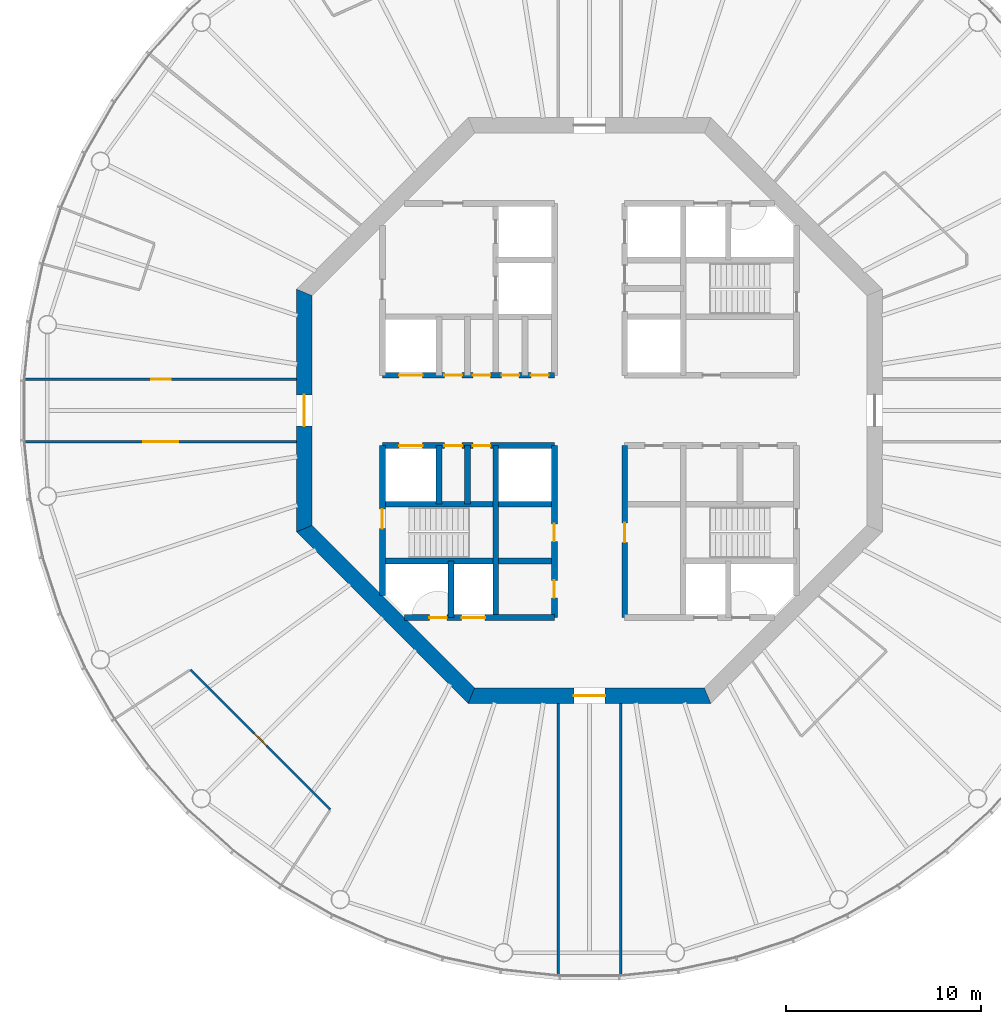
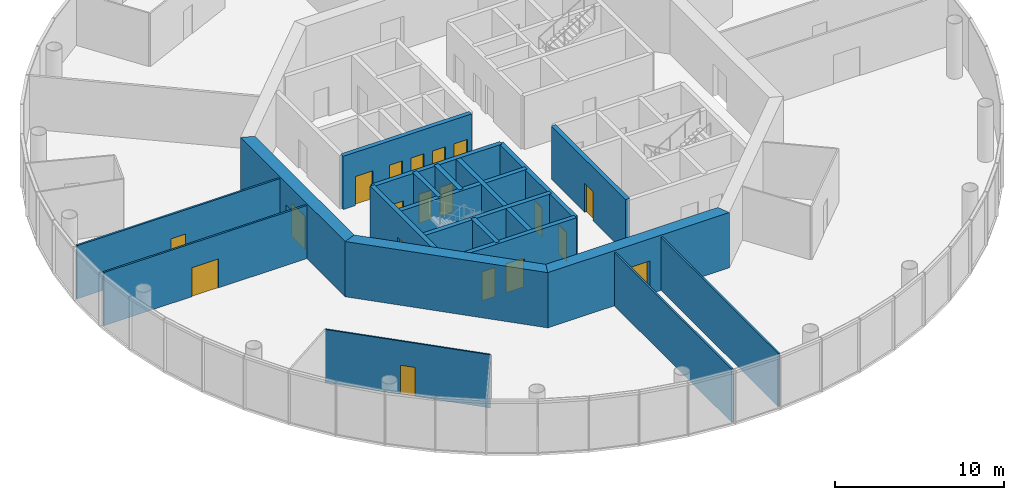
# One storey, part 3 of 13: 20 walls, 19 doors, 19 openings.
"""IFC4 building model written with IfcOpenShell, lengths in metres."""

from ifc_helpers import new_model, si_unit, direction, frame, frame_2d, origin, place, context, subcontext, project, spatial, polyline, rectangle, outline, extrude, material, layer, layer_set, type_object, element, fill, save


model = new_model("IFC4")

# Units and contexts
model_context = context("Model", 3, precision=1e-05, world=origin(), true_north=direction((0.0, 1.0)))
body_context = subcontext(model_context, "Body", "Model", "MODEL_VIEW")
ifc_project = project(units=[si_unit("LENGTHUNIT", "METRE"), si_unit("AREAUNIT", "SQUARE_METRE"), si_unit("VOLUMEUNIT", "CUBIC_METRE"), si_unit("PLANEANGLEUNIT", "RADIAN"), si_unit("MASSUNIT", "GRAM", prefix="KILO")], contexts=[model_context])

# Site, building, storey
site_placement = place(None, origin())
site = spatial("IfcSite", under=ifc_project, at=site_placement, CompositionType="ELEMENT")
building_placement = place(site_placement, origin())
building = spatial("IfcBuilding", under=site, at=building_placement, Name="Entoto Ring Tower", CompositionType="ELEMENT")
storey_placement = place(building_placement, frame((0.0, 0.0, 278.0)))
storey = spatial("IfcBuildingStorey", under=building, at=storey_placement, Name="L63", CompositionType="ELEMENT", Elevation=278.0)

# Wall, opening, door
ifc_material_1 = material(Name="Concrete C40/50", Category="concrete")
ifc_layer_1 = layer(ifc_material_1, 0.300048828125)
ifc_layer_set_1 = layer_set([ifc_layer_1], Name="Concrete C40/50")
wall_type_1 = type_object("IfcWallType", Name="Core enclosure wall 300 mm reinforced concrete", PredefinedType="SOLIDWALL", material=ifc_layer_set_1)
wall_1_placement = place(storey_placement, frame((91.800048828125, 69.39990234375, 0.0), z_axis=(0.0, 0.0, 1.0), x_axis=(0.0, 1.0, 0.0)))
wall_1 = element("IfcWall", 1, at=wall_1_placement, inside=storey, type_object=wall_type_1, Name="wall-L63-008", PredefinedType="SOLIDWALL", context=body_context, shape_type="SweptSolid", body=[
    extrude(rectangle(XDim=8.800048828125, YDim=0.300048828125, at=frame_2d((4.39990234375, 0.0))), origin(), (0.0, 0.0, 1.0), 3.85009765625),
])
opening_1_placement = place(wall_1_placement, frame((3.85009765625, 0.0, 0.0)))
opening_1 = element("IfcOpeningElement", 2, at=opening_1_placement, cuts=wall_1, Name="Opening K-64", PredefinedType="OPENING", context=body_context, shape_type="SweptSolid", body=[
    extrude(rectangle(XDim=1.0, YDim=2.10009765625, at=frame_2d((0.5, 1.050048828125))), frame((0.0, 0.16015625, 0.0), z_axis=(0.0, -1.0, 0.0), x_axis=(1.0, 0.0, 0.0)), (0.0, 0.0, 1.0), 0.320068359375),
])
ifc_material_2 = material(Name="Steel door leaf, fire rated", Category="steel")
ifc_layer_2 = layer(ifc_material_2, 0.050048828125)
ifc_layer_set_2 = layer_set([ifc_layer_2], Name="Steel door leaf, fire rated")
door_type_1 = type_object("IfcDoorType", Name="Accessible door 1000 x 2100 single leaf", OperationType="NOTDEFINED", PredefinedType="DOOR", material=ifc_layer_set_2)
door_1_placement = place(opening_1_placement, frame((1.0, 0.0, 0.0), z_axis=(0.0, 0.0, 1.0), x_axis=(-1.0, 0.0, 0.0)))
door_1 = element("IfcDoor", 3, at=door_1_placement, inside=storey, type_object=door_type_1, Name="Door K-64", OperationType="SINGLE_SWING_LEFT", OverallHeight=2.10009765625, OverallWidth=1.0, PredefinedType="DOOR", context=body_context, shape_type="SweptSolid", body=[
    extrude(rectangle(XDim=1.0, YDim=2.10009765625, at=frame_2d((0.5, 1.050048828125))), frame((0.0, 0.02490234375, 0.0), z_axis=(0.0, -1.0, 0.0), x_axis=(1.0, 0.0, 0.0)), (0.0, 0.0, 1.0), 0.050048828125),
])
fill(opening_1, door_1)

# Wall, openings, doors
wall_2_placement = place(storey_placement, frame((88.199951171875, 69.39990234375, 0.0), z_axis=(0.0, 0.0, 1.0), x_axis=(0.0, 1.0, 0.0)))
wall_2 = element("IfcWall", 4, at=wall_2_placement, inside=storey, type_object=wall_type_1, Name="wall-L63-010", PredefinedType="SOLIDWALL", context=body_context, shape_type="SweptSolid", body=[
    extrude(rectangle(XDim=8.800048828125, YDim=0.300048828125, at=frame_2d((4.39990234375, 0.0))), origin(), (0.0, 0.0, 1.0), 3.85009765625),
])
opening_2_placement = place(wall_2_placement, frame((3.89990234375, 0.0, 0.0)))
opening_2 = element("IfcOpeningElement", 5, at=opening_2_placement, cuts=wall_2, Name="Opening K-21", PredefinedType="OPENING", context=body_context, shape_type="SweptSolid", body=[
    extrude(rectangle(XDim=0.89990234375, YDim=2.10009765625, at=frame_2d((0.449951171875, 1.050048828125))), frame((0.0, 0.16015625, 0.0), z_axis=(0.0, -1.0, 0.0), x_axis=(1.0, 0.0, 0.0)), (0.0, 0.0, 1.0), 0.320068359375),
])
opening_3_placement = place(wall_2_placement, frame((1.0, 0.0, 0.0)))
opening_3 = element("IfcOpeningElement", 6, at=opening_3_placement, cuts=wall_2, Name="Opening K-69", PredefinedType="OPENING", context=body_context, shape_type="SweptSolid", body=[
    extrude(rectangle(XDim=0.89990234375, YDim=2.10009765625, at=frame_2d((0.449951171875, 1.050048828125))), frame((0.0, 0.16015625, 0.0), z_axis=(0.0, -1.0, 0.0), x_axis=(1.0, 0.0, 0.0)), (0.0, 0.0, 1.0), 0.320068359375),
])
ifc_material_3 = material(Name="Steel door leaf, fire rated", Category="steel")
ifc_layer_3 = layer(ifc_material_3, 0.050048828125)
ifc_layer_set_3 = layer_set([ifc_layer_3], Name="Steel door leaf, fire rated")
door_type_2 = type_object("IfcDoorType", Name="Core door 900 x 2100 single leaf", OperationType="NOTDEFINED", PredefinedType="DOOR", material=ifc_layer_set_3)
door_2_placement = place(opening_2_placement, origin())
door_2 = element("IfcDoor", 7, at=door_2_placement, inside=storey, type_object=door_type_2, Name="Door K-21", OperationType="SINGLE_SWING_RIGHT", OverallHeight=2.10009765625, OverallWidth=0.89990234375, PredefinedType="DOOR", context=body_context, shape_type="SweptSolid", body=[
    extrude(rectangle(XDim=0.89990234375, YDim=2.10009765625, at=frame_2d((0.449951171875, 1.050048828125))), frame((0.0, 0.02490234375, 0.0), z_axis=(0.0, -1.0, 0.0), x_axis=(1.0, 0.0, 0.0)), (0.0, 0.0, 1.0), 0.050048828125),
])
fill(opening_2, door_2)
door_3_placement = place(opening_3_placement, origin())
door_3 = element("IfcDoor", 8, at=door_3_placement, inside=storey, type_object=door_type_2, Name="Door K-69", OperationType="SINGLE_SWING_RIGHT", OverallHeight=2.10009765625, OverallWidth=0.89990234375, PredefinedType="DOOR", context=body_context, shape_type="SweptSolid", body=[
    extrude(rectangle(XDim=0.89990234375, YDim=2.10009765625, at=frame_2d((0.449951171875, 1.050048828125))), frame((0.0, 0.02490234375, 0.0), z_axis=(0.0, -1.0, 0.0), x_axis=(1.0, 0.0, 0.0)), (0.0, 0.0, 1.0), 0.050048828125),
])
fill(opening_3, door_3)

# Walls
wall_3_placement = place(storey_placement, frame((85.199951171875, 69.39990234375, 0.0), z_axis=(0.0, 0.0, 1.0), x_axis=(0.0, 1.0, 0.0)))
element("IfcWall", 9, at=wall_3_placement, inside=storey, type_object=wall_type_1, Name="wall-L63-013", PredefinedType="SOLIDWALL", context=body_context, shape_type="SweptSolid", body=[
    extrude(rectangle(XDim=8.800048828125, YDim=0.300048828125, at=frame_2d((4.39990234375, 0.0))), origin(), (0.0, 0.0, 1.0), 3.85009765625),
])
wall_4_placement = place(storey_placement, frame((83.75, 75.199951171875, 0.0), z_axis=(0.0, 0.0, 1.0), x_axis=(0.0, 1.0, 0.0)))
element("IfcWall", 10, at=wall_4_placement, inside=storey, type_object=wall_type_1, Name="wall-L63-015", PredefinedType="SOLIDWALL", context=body_context, shape_type="SweptSolid", body=[
    extrude(rectangle(XDim=3.0, YDim=0.300048828125, at=frame_2d((1.5, 0.0))), origin(), (0.0, 0.0, 1.0), 3.85009765625),
])
wall_5_placement = place(storey_placement, frame((82.89990234375, 69.39990234375, 0.0), z_axis=(0.0, 0.0, 1.0), x_axis=(0.0, 1.0, 0.0)))
element("IfcWall", 11, at=wall_5_placement, inside=storey, type_object=wall_type_1, Name="wall-L63-017", PredefinedType="SOLIDWALL", context=body_context, shape_type="SweptSolid", body=[
    extrude(rectangle(XDim=2.900146484375, YDim=0.300048828125, at=frame_2d((1.4501953125, 0.0))), origin(), (0.0, 0.0, 1.0), 3.85009765625),
])
wall_6_placement = place(storey_placement, frame((82.300048828125, 75.199951171875, 0.0), z_axis=(0.0, 0.0, 1.0), x_axis=(0.0, 1.0, 0.0)))
element("IfcWall", 12, at=wall_6_placement, inside=storey, type_object=wall_type_1, Name="wall-L63-018", PredefinedType="SOLIDWALL", context=body_context, shape_type="SweptSolid", body=[
    extrude(rectangle(XDim=3.0, YDim=0.300048828125, at=frame_2d((1.5, 0.0))), origin(), (0.0, 0.0, 1.0), 3.85009765625),
])

# Wall, opening, door
wall_7_placement = place(storey_placement, frame((79.39990234375, 70.518310546875, 0.0), z_axis=(0.0, 0.0, 1.0), x_axis=(0.0, 1.0, 0.0)))
wall_7 = element("IfcWall", 13, at=wall_7_placement, inside=storey, type_object=wall_type_1, Name="wall-L63-020", PredefinedType="SOLIDWALL", context=body_context, shape_type="SweptSolid", body=[
    extrude(rectangle(XDim=7.681640625, YDim=0.300048828125, at=frame_2d((3.8408203125, 0.0))), origin(), (0.0, 0.0, 1.0), 3.85009765625),
])
opening_4_placement = place(wall_7_placement, frame((3.431884765625, 0.0, 0.0)))
opening_4 = element("IfcOpeningElement", 14, at=opening_4_placement, cuts=wall_7, Name="Opening K-27", PredefinedType="OPENING", context=body_context, shape_type="SweptSolid", body=[
    extrude(rectangle(XDim=1.0, YDim=2.10009765625, at=frame_2d((0.5, 1.050048828125))), frame((0.0, 0.16015625, 0.0), z_axis=(0.0, -1.0, 0.0), x_axis=(1.0, 0.0, 0.0)), (0.0, 0.0, 1.0), 0.320068359375),
])
ifc_material_4 = material(Name="Steel door leaf, fire rated", Category="steel")
ifc_layer_4 = layer(ifc_material_4, 0.050048828125)
ifc_layer_set_4 = layer_set([ifc_layer_4], Name="Steel door leaf, fire rated")
door_type_3 = type_object("IfcDoorType", Name="Fire door FD60 1000 x 2100 single leaf", OperationType="NOTDEFINED", PredefinedType="DOOR", material=ifc_layer_set_4)
door_4_placement = place(opening_4_placement, frame((1.0, 0.0, 0.0), z_axis=(0.0, 0.0, 1.0), x_axis=(-1.0, 0.0, 0.0)))
door_4 = element("IfcDoor", 15, at=door_4_placement, inside=storey, type_object=door_type_3, Name="Door K-27", OperationType="SINGLE_SWING_LEFT", OverallHeight=2.10009765625, OverallWidth=1.0, PredefinedType="DOOR", context=body_context, shape_type="SweptSolid", body=[
    extrude(rectangle(XDim=1.0, YDim=2.10009765625, at=frame_2d((0.5, 1.050048828125))), frame((0.0, 0.02490234375, 0.0), z_axis=(0.0, -1.0, 0.0), x_axis=(1.0, 0.0, 0.0)), (0.0, 0.0, 1.0), 0.050048828125),
])
fill(opening_4, door_4)

# Wall, openings, doors
wall_8_placement = place(storey_placement, frame((80.518310546875, 69.39990234375, 0.0), z_axis=(0.0, 0.0, 1.0), x_axis=(1.0, 0.0, 0.0)))
wall_8 = element("IfcWall", 16, at=wall_8_placement, inside=storey, type_object=wall_type_1, Name="wall-L63-022", PredefinedType="SOLIDWALL", context=body_context, shape_type="SweptSolid", body=[
    extrude(rectangle(XDim=7.681640625, YDim=0.300048828125, at=frame_2d((3.8408203125, 0.0))), origin(), (0.0, 0.0, 1.0), 3.85009765625),
])
opening_5_placement = place(wall_8_placement, frame((2.931884765625, 0.0, 0.0)))
opening_5 = element("IfcOpeningElement", 17, at=opening_5_placement, cuts=wall_8, Name="Opening LD", PredefinedType="OPENING", context=body_context, shape_type="SweptSolid", body=[
    extrude(rectangle(XDim=1.199951171875, YDim=2.10009765625, at=frame_2d((0.60009765625, 1.050048828125))), frame((0.0, 0.16015625, 0.0), z_axis=(0.0, -1.0, 0.0), x_axis=(1.0, 0.0, 0.0)), (0.0, 0.0, 1.0), 0.320068359375),
])
opening_6_placement = place(wall_8_placement, frame((1.28173828125, 0.0, 0.0)))
opening_6 = element("IfcOpeningElement", 18, at=opening_6_placement, cuts=wall_8, Name="Opening K-84", PredefinedType="OPENING", context=body_context, shape_type="SweptSolid", body=[
    extrude(rectangle(XDim=0.89990234375, YDim=2.10009765625, at=frame_2d((0.449951171875, 1.050048828125))), frame((0.0, 0.16015625, 0.0), z_axis=(0.0, -1.0, 0.0), x_axis=(1.0, 0.0, 0.0)), (0.0, 0.0, 1.0), 0.320068359375),
])
ifc_material_5 = material(Name="Steel and glass door leaf", Category="steel")
ifc_layer_5 = layer(ifc_material_5, 0.050048828125)
ifc_layer_set_5 = layer_set([ifc_layer_5], Name="Steel and glass door leaf")
door_type_4 = type_object("IfcDoorType", Name="Landing door 1200 x 2100 sliding", OperationType="DOUBLE_DOOR_SLIDING", PredefinedType="DOOR", material=ifc_layer_set_5)
door_5_placement = place(opening_5_placement, origin())
door_5 = element("IfcDoor", 19, at=door_5_placement, inside=storey, type_object=door_type_4, Name="Landing door LB3-HR", OperationType="SLIDING_TO_RIGHT", OverallHeight=2.10009765625, OverallWidth=1.199951171875, PredefinedType="DOOR", context=body_context, shape_type="SweptSolid", body=[
    extrude(rectangle(XDim=1.199951171875, YDim=2.10009765625, at=frame_2d((0.60009765625, 1.050048828125))), frame((0.0, 0.02490234375, 0.0), z_axis=(0.0, -1.0, 0.0), x_axis=(1.0, 0.0, 0.0)), (0.0, 0.0, 1.0), 0.050048828125),
])
fill(opening_5, door_5)
ifc_material_6 = material(Name="Steel door leaf, fire rated", Category="steel")
ifc_layer_6 = layer(ifc_material_6, 0.050048828125)
ifc_layer_set_6 = layer_set([ifc_layer_6], Name="Steel door leaf, fire rated")
door_type_5 = type_object("IfcDoorType", Name="Riser door FD60 900 x 2100 single leaf", OperationType="NOTDEFINED", PredefinedType="DOOR", material=ifc_layer_set_6)
door_6_placement = place(opening_6_placement, origin())
door_6 = element("IfcDoor", 20, at=door_6_placement, inside=storey, type_object=door_type_5, Name="Door K-84", OperationType="SINGLE_SWING_RIGHT", OverallHeight=2.10009765625, OverallWidth=0.89990234375, PredefinedType="DOOR", context=body_context, shape_type="SweptSolid", body=[
    extrude(rectangle(XDim=0.89990234375, YDim=2.10009765625, at=frame_2d((0.449951171875, 1.050048828125))), frame((0.0, 0.02490234375, 0.0), z_axis=(0.0, -1.0, 0.0), x_axis=(1.0, 0.0, 0.0)), (0.0, 0.0, 1.0), 0.050048828125),
])
fill(opening_6, door_6)

# Walls
for number, where, z_axis, x_axis, name in (
    (21, (79.39990234375, 72.300048828125, 0.0), (0.0, 0.0, 1.0), (1.0, 0.0, 0.0), "wall-L63-024"),
    (22, (79.39990234375, 75.199951171875, 0.0), (0.0, 0.0, 1.0), (1.0, 0.0, 0.0), "wall-L63-026"),
):
    element("IfcWall", number, at=place(storey_placement, frame(where, z_axis=z_axis, x_axis=x_axis)), inside=storey, type_object=wall_type_1, Name=name, PredefinedType="SOLIDWALL", context=body_context, shape_type="SweptSolid", body=[
        extrude(rectangle(XDim=8.800048828125, YDim=0.300048828125, at=frame_2d((4.39990234375, 0.0))), origin(), (0.0, 0.0, 1.0), 3.85009765625),
    ])

# Wall, openings, doors
wall_9_placement = place(storey_placement, frame((79.39990234375, 78.199951171875, 0.0), z_axis=(0.0, 0.0, 1.0), x_axis=(1.0, 0.0, 0.0)))
wall_9 = element("IfcWall", 23, at=wall_9_placement, inside=storey, type_object=wall_type_1, Name="wall-L63-028", PredefinedType="SOLIDWALL", context=body_context, shape_type="SweptSolid", body=[
    extrude(rectangle(XDim=8.800048828125, YDim=0.300048828125, at=frame_2d((4.39990234375, 0.0))), origin(), (0.0, 0.0, 1.0), 3.85009765625),
])
opening_7_placement = place(wall_9_placement, frame((0.85009765625, 0.0, 0.0)))
opening_7 = element("IfcOpeningElement", 24, at=opening_7_placement, cuts=wall_9, Name="Opening LD", PredefinedType="OPENING", context=body_context, shape_type="SweptSolid", body=[
    extrude(rectangle(XDim=1.199951171875, YDim=2.10009765625, at=frame_2d((0.60009765625, 1.050048828125))), frame((0.0, 0.16015625, 0.0), z_axis=(0.0, -1.0, 0.0), x_axis=(1.0, 0.0, 0.0)), (0.0, 0.0, 1.0), 0.320068359375),
])
opening_8_placement = place(wall_9_placement, frame((3.175048828125, 0.0, 0.0)))
opening_8 = element("IfcOpeningElement", 25, at=opening_8_placement, cuts=wall_9, Name="Opening K-16", PredefinedType="OPENING", context=body_context, shape_type="SweptSolid", body=[
    extrude(rectangle(XDim=0.89990234375, YDim=2.10009765625, at=frame_2d((0.449951171875, 1.050048828125))), frame((0.0, 0.16015625, 0.0), z_axis=(0.0, -1.0, 0.0), x_axis=(1.0, 0.0, 0.0)), (0.0, 0.0, 1.0), 0.320068359375),
])
opening_9_placement = place(wall_9_placement, frame((4.625, 0.0, 0.0)))
opening_9 = element("IfcOpeningElement", 26, at=opening_9_placement, cuts=wall_9, Name="Opening K-57", PredefinedType="OPENING", context=body_context, shape_type="SweptSolid", body=[
    extrude(rectangle(XDim=0.89990234375, YDim=2.10009765625, at=frame_2d((0.449951171875, 1.050048828125))), frame((0.0, 0.16015625, 0.0), z_axis=(0.0, -1.0, 0.0), x_axis=(1.0, 0.0, 0.0)), (0.0, 0.0, 1.0), 0.320068359375),
])
door_7_placement = place(opening_8_placement, frame((0.89990234375, 0.0, 0.0), z_axis=(0.0, 0.0, 1.0), x_axis=(-1.0, 0.0, 0.0)))
door_7 = element("IfcDoor", 27, at=door_7_placement, inside=storey, type_object=door_type_2, Name="Door K-16", OperationType="SINGLE_SWING_LEFT", OverallHeight=2.10009765625, OverallWidth=0.89990234375, PredefinedType="DOOR", context=body_context, shape_type="SweptSolid", body=[
    extrude(rectangle(XDim=0.89990234375, YDim=2.10009765625, at=frame_2d((0.449951171875, 1.050048828125))), frame((0.0, 0.02490234375, 0.0), z_axis=(0.0, -1.0, 0.0), x_axis=(1.0, 0.0, 0.0)), (0.0, 0.0, 1.0), 0.050048828125),
])
fill(opening_8, door_7)
door_8_placement = place(opening_9_placement, frame((0.89990234375, 0.0, 0.0), z_axis=(0.0, 0.0, 1.0), x_axis=(-1.0, 0.0, 0.0)))
door_8 = element("IfcDoor", 28, at=door_8_placement, inside=storey, type_object=door_type_2, Name="Door K-57", OperationType="SINGLE_SWING_LEFT", OverallHeight=2.10009765625, OverallWidth=0.89990234375, PredefinedType="DOOR", context=body_context, shape_type="SweptSolid", body=[
    extrude(rectangle(XDim=0.89990234375, YDim=2.10009765625, at=frame_2d((0.449951171875, 1.050048828125))), frame((0.0, 0.02490234375, 0.0), z_axis=(0.0, -1.0, 0.0), x_axis=(1.0, 0.0, 0.0)), (0.0, 0.0, 1.0), 0.050048828125),
])
fill(opening_9, door_8)
door_9_placement = place(opening_7_placement, origin())
door_9 = element("IfcDoor", 29, at=door_9_placement, inside=storey, type_object=door_type_4, Name="Landing door SH2", OperationType="SLIDING_TO_RIGHT", OverallHeight=2.10009765625, OverallWidth=1.199951171875, PredefinedType="DOOR", context=body_context, shape_type="SweptSolid", body=[
    extrude(rectangle(XDim=1.199951171875, YDim=2.10009765625, at=frame_2d((0.60009765625, 1.050048828125))), frame((0.0, 0.02490234375, 0.0), z_axis=(0.0, -1.0, 0.0), x_axis=(1.0, 0.0, 0.0)), (0.0, 0.0, 1.0), 0.050048828125),
])
fill(opening_7, door_9)

wall_10_placement = place(storey_placement, frame((79.39990234375, 81.800048828125, 0.0), z_axis=(0.0, 0.0, 1.0), x_axis=(1.0, 0.0, 0.0)))
wall_10 = element("IfcWall", 30, at=wall_10_placement, inside=storey, type_object=wall_type_1, Name="wall-L63-030", PredefinedType="SOLIDWALL", context=body_context, shape_type="SweptSolid", body=[
    extrude(rectangle(XDim=8.800048828125, YDim=0.300048828125, at=frame_2d((4.39990234375, 0.0))), origin(), (0.0, 0.0, 1.0), 3.85009765625),
])
opening_10_placement = place(wall_10_placement, frame((0.85009765625, 0.0, 0.0)))
opening_10 = element("IfcOpeningElement", 31, at=opening_10_placement, cuts=wall_10, Name="Opening LD", PredefinedType="OPENING", context=body_context, shape_type="SweptSolid", body=[
    extrude(rectangle(XDim=1.199951171875, YDim=2.10009765625, at=frame_2d((0.60009765625, 1.050048828125))), frame((0.0, 0.16015625, 0.0), z_axis=(0.0, -1.0, 0.0), x_axis=(1.0, 0.0, 0.0)), (0.0, 0.0, 1.0), 0.320068359375),
])
opening_11_placement = place(wall_10_placement, frame((3.175048828125, 0.0, 0.0)))
opening_11 = element("IfcOpeningElement", 32, at=opening_11_placement, cuts=wall_10, Name="Opening K-12", PredefinedType="OPENING", context=body_context, shape_type="SweptSolid", body=[
    extrude(rectangle(XDim=0.89990234375, YDim=2.10009765625, at=frame_2d((0.449951171875, 1.050048828125))), frame((0.0, 0.16015625, 0.0), z_axis=(0.0, -1.0, 0.0), x_axis=(1.0, 0.0, 0.0)), (0.0, 0.0, 1.0), 0.320068359375),
])
opening_12_placement = place(wall_10_placement, frame((4.625, 0.0, 0.0)))
opening_12 = element("IfcOpeningElement", 33, at=opening_12_placement, cuts=wall_10, Name="Opening K-46", PredefinedType="OPENING", context=body_context, shape_type="SweptSolid", body=[
    extrude(rectangle(XDim=0.89990234375, YDim=2.10009765625, at=frame_2d((0.449951171875, 1.050048828125))), frame((0.0, 0.16015625, 0.0), z_axis=(0.0, -1.0, 0.0), x_axis=(1.0, 0.0, 0.0)), (0.0, 0.0, 1.0), 0.320068359375),
])
opening_13_placement = place(wall_10_placement, frame((6.10009765625, 0.0, 0.0)))
opening_13 = element("IfcOpeningElement", 34, at=opening_13_placement, cuts=wall_10, Name="Opening K-71", PredefinedType="OPENING", context=body_context, shape_type="SweptSolid", body=[
    extrude(rectangle(XDim=0.89990234375, YDim=2.10009765625, at=frame_2d((0.449951171875, 1.050048828125))), frame((0.0, 0.16015625, 0.0), z_axis=(0.0, -1.0, 0.0), x_axis=(1.0, 0.0, 0.0)), (0.0, 0.0, 1.0), 0.320068359375),
])
opening_14_placement = place(wall_10_placement, frame((7.60009765625, 0.0, 0.0)))
opening_14 = element("IfcOpeningElement", 35, at=opening_14_placement, cuts=wall_10, Name="Opening K-24", PredefinedType="OPENING", context=body_context, shape_type="SweptSolid", body=[
    extrude(rectangle(XDim=0.89990234375, YDim=2.10009765625, at=frame_2d((0.449951171875, 1.050048828125))), frame((0.0, 0.16015625, 0.0), z_axis=(0.0, -1.0, 0.0), x_axis=(1.0, 0.0, 0.0)), (0.0, 0.0, 1.0), 0.320068359375),
])
door_10_placement = place(opening_11_placement, origin())
door_10 = element("IfcDoor", 36, at=door_10_placement, inside=storey, type_object=door_type_2, Name="Door K-12", OperationType="SINGLE_SWING_RIGHT", OverallHeight=2.10009765625, OverallWidth=0.89990234375, PredefinedType="DOOR", context=body_context, shape_type="SweptSolid", body=[
    extrude(rectangle(XDim=0.89990234375, YDim=2.10009765625, at=frame_2d((0.449951171875, 1.050048828125))), frame((0.0, 0.02490234375, 0.0), z_axis=(0.0, -1.0, 0.0), x_axis=(1.0, 0.0, 0.0)), (0.0, 0.0, 1.0), 0.050048828125),
])
fill(opening_11, door_10)
door_11_placement = place(opening_12_placement, origin())
door_11 = element("IfcDoor", 37, at=door_11_placement, inside=storey, type_object=door_type_2, Name="Door K-46", OperationType="SINGLE_SWING_RIGHT", OverallHeight=2.10009765625, OverallWidth=0.89990234375, PredefinedType="DOOR", context=body_context, shape_type="SweptSolid", body=[
    extrude(rectangle(XDim=0.89990234375, YDim=2.10009765625, at=frame_2d((0.449951171875, 1.050048828125))), frame((0.0, 0.02490234375, 0.0), z_axis=(0.0, -1.0, 0.0), x_axis=(1.0, 0.0, 0.0)), (0.0, 0.0, 1.0), 0.050048828125),
])
fill(opening_12, door_11)
door_12_placement = place(opening_13_placement, origin())
door_12 = element("IfcDoor", 38, at=door_12_placement, inside=storey, type_object=door_type_2, Name="Door K-71", OperationType="SINGLE_SWING_LEFT", OverallHeight=2.10009765625, OverallWidth=0.89990234375, PredefinedType="DOOR", context=body_context, shape_type="SweptSolid", body=[
    extrude(rectangle(XDim=0.89990234375, YDim=2.10009765625, at=frame_2d((0.449951171875, 1.050048828125))), frame((0.0, 0.02490234375, 0.0), z_axis=(0.0, -1.0, 0.0), x_axis=(1.0, 0.0, 0.0)), (0.0, 0.0, 1.0), 0.050048828125),
])
fill(opening_13, door_12)
door_13_placement = place(opening_14_placement, origin())
door_13 = element("IfcDoor", 39, at=door_13_placement, inside=storey, type_object=door_type_2, Name="Door K-24", OperationType="SINGLE_SWING_LEFT", OverallHeight=2.10009765625, OverallWidth=0.89990234375, PredefinedType="DOOR", context=body_context, shape_type="SweptSolid", body=[
    extrude(rectangle(XDim=0.89990234375, YDim=2.10009765625, at=frame_2d((0.449951171875, 1.050048828125))), frame((0.0, 0.02490234375, 0.0), z_axis=(0.0, -1.0, 0.0), x_axis=(1.0, 0.0, 0.0)), (0.0, 0.0, 1.0), 0.050048828125),
])
fill(opening_14, door_13)
door_14_placement = place(opening_10_placement, origin())
door_14 = element("IfcDoor", 40, at=door_14_placement, inside=storey, type_object=door_type_4, Name="Landing door SH1", OperationType="SLIDING_TO_RIGHT", OverallHeight=2.10009765625, OverallWidth=1.199951171875, PredefinedType="DOOR", context=body_context, shape_type="SweptSolid", body=[
    extrude(rectangle(XDim=1.199951171875, YDim=2.10009765625, at=frame_2d((0.60009765625, 1.050048828125))), frame((0.0, 0.02490234375, 0.0), z_axis=(0.0, -1.0, 0.0), x_axis=(1.0, 0.0, 0.0)), (0.0, 0.0, 1.0), 0.050048828125),
])
fill(opening_10, door_14)

# Wall, opening, door
ifc_material_7 = material(Name="Concrete C40/50", Category="concrete")
ifc_layer_7 = layer(ifc_material_7, 0.800048828125)
ifc_layer_set_7 = layer_set([ifc_layer_7], Name="Concrete C40/50")
wall_type_2 = type_object("IfcWallType", Name="Core shear wall 800 mm reinforced concrete C40/50", PredefinedType="SHEAR", material=ifc_layer_set_7)
wall_11_placement = place(storey_placement, frame((75.39990234375, 86.047607421875, 0.0), z_axis=(0.0, 0.0, 1.0), x_axis=(0.0, -1.0, 0.0)))
wall_11 = element("IfcWall", 41, at=wall_11_placement, inside=storey, type_object=wall_type_2, Name="wall-L63-core-4", PredefinedType="SHEAR", context=body_context, shape_type="SweptSolid", body=[
    extrude(outline(polyline([(-0.165771484375, -0.39990234375), (12.260986328125, -0.39990234375), (11.929443359375, 0.39990234375), (0.165771484375, 0.39990234375), (-0.165771484375, -0.39990234375)])), origin(), (0.0, 0.0, 1.0), 4.0),
])
opening_15_placement = place(wall_11_placement, frame((5.24755859375, 0.0, 0.0)))
opening_15 = element("IfcOpeningElement", 42, at=opening_15_placement, cuts=wall_11, Name="Opening K-03", PredefinedType="OPENING", context=body_context, shape_type="SweptSolid", body=[
    extrude(rectangle(XDim=1.60009765625, YDim=2.39990234375, at=frame_2d((0.800048828125, 1.199951171875))), frame((0.0, 0.41015625, 0.0), z_axis=(0.0, -1.0, 0.0), x_axis=(1.0, 0.0, 0.0)), (0.0, 0.0, 1.0), 0.820068359375),
])
ifc_material_8 = material(Name="Steel door leaf, fire rated", Category="steel")
ifc_layer_8 = layer(ifc_material_8, 0.050048828125)
ifc_layer_set_8 = layer_set([ifc_layer_8], Name="Steel door leaf, fire rated")
door_type_6 = type_object("IfcDoorType", Name="Entrance door FD60 1600 x 2400 double leaf", OperationType="DOUBLE_DOOR_SINGLE_SWING", PredefinedType="DOOR", material=ifc_layer_set_8)
door_15_placement = place(opening_15_placement, origin())
door_15 = element("IfcDoor", 43, at=door_15_placement, inside=storey, type_object=door_type_6, Name="Entrance door K-03", OperationType="DOUBLE_DOOR_SINGLE_SWING", OverallHeight=2.39990234375, OverallWidth=1.60009765625, PredefinedType="DOOR", context=body_context, shape_type="SweptSolid", body=[
    extrude(rectangle(XDim=1.60009765625, YDim=2.39990234375, at=frame_2d((0.800048828125, 1.199951171875))), frame((0.0, 0.02490234375, 0.0), z_axis=(0.0, -1.0, 0.0), x_axis=(1.0, 0.0, 0.0)), (0.0, 0.0, 1.0), 0.050048828125),
])
fill(opening_15, door_15)

# Wall
wall_12_placement = place(storey_placement, frame((75.39990234375, 73.952392578125, 0.0), z_axis=(0.0, 0.0, 1.0), x_axis=(0.707106781187, -0.707106781187, 0.0)))
element("IfcWall", 44, at=wall_12_placement, inside=storey, type_object=wall_type_2, Name="wall-L63-core-5", PredefinedType="SHEAR", context=body_context, shape_type="SweptSolid", body=[
    extrude(outline(polyline([(-0.165771484375, -0.39990234375), (12.2607421875, -0.39990234375), (11.92919921875, 0.39990234375), (0.165771484375, 0.39990234375), (-0.165771484375, -0.39990234375)])), origin(), (0.0, 0.0, 1.0), 4.0),
])

# Wall, opening, door
wall_13_placement = place(storey_placement, frame((83.952392578125, 65.39990234375, 0.0), z_axis=(0.0, 0.0, 1.0), x_axis=(1.0, 0.0, 0.0)))
wall_13 = element("IfcWall", 45, at=wall_13_placement, inside=storey, type_object=wall_type_2, Name="wall-L63-core-6", PredefinedType="SHEAR", context=body_context, shape_type="SweptSolid", body=[
    extrude(outline(polyline([(-0.165771484375, -0.39990234375), (12.260986328125, -0.39990234375), (11.929443359375, 0.39990234375), (0.165771484375, 0.39990234375), (-0.165771484375, -0.39990234375)])), origin(), (0.0, 0.0, 1.0), 4.0),
])
opening_16_placement = place(wall_13_placement, frame((5.24755859375, 0.0, 0.0)))
opening_16 = element("IfcOpeningElement", 46, at=opening_16_placement, cuts=wall_13, Name="Opening K-04", PredefinedType="OPENING", context=body_context, shape_type="SweptSolid", body=[
    extrude(rectangle(XDim=1.60009765625, YDim=2.39990234375, at=frame_2d((0.800048828125, 1.199951171875))), frame((0.0, 0.41015625, 0.0), z_axis=(0.0, -1.0, 0.0), x_axis=(1.0, 0.0, 0.0)), (0.0, 0.0, 1.0), 0.820068359375),
])
door_16_placement = place(opening_16_placement, origin())
door_16 = element("IfcDoor", 47, at=door_16_placement, inside=storey, type_object=door_type_6, Name="Entrance door K-04", OperationType="DOUBLE_DOOR_SINGLE_SWING", OverallHeight=2.39990234375, OverallWidth=1.60009765625, PredefinedType="DOOR", context=body_context, shape_type="SweptSolid", body=[
    extrude(rectangle(XDim=1.60009765625, YDim=2.39990234375, at=frame_2d((0.800048828125, 1.199951171875))), frame((0.0, 0.02490234375, 0.0), z_axis=(0.0, -1.0, 0.0), x_axis=(1.0, 0.0, 0.0)), (0.0, 0.0, 1.0), 0.050048828125),
])
fill(opening_16, door_16)

ifc_material_9 = material(Name="Fire-resisting plasterboard on steel studs", Category="steel")
ifc_layer_9 = layer(ifc_material_9, 0.125)
ifc_layer_set_9 = layer_set([ifc_layer_9], Name="Fire-resisting plasterboard on steel studs")
wall_type_3 = type_object("IfcWallType", Name="Corridor wall 125 mm one-hour plasterboard on steel studs", PredefinedType="PARTITIONING", material=ifc_layer_set_9)
wall_14_placement = place(storey_placement, frame((61.108642578125, 78.39990234375, 0.0), z_axis=(0.0, 0.0, 1.0), x_axis=(1.0, 0.0, 0.0)))
wall_14 = element("IfcWall", 48, at=wall_14_placement, inside=storey, type_object=wall_type_3, Name="partition-L63-001", PredefinedType="PARTITIONING", context=body_context, shape_type="SweptSolid", body=[
    extrude(rectangle(XDim=13.891357421875, YDim=0.125, at=frame_2d((6.94580078125, 0.0))), origin(), (0.0, 0.0, 1.0), 3.85009765625),
])
opening_17_placement = place(wall_14_placement, frame((6.045654296875, 0.0, 0.0)))
opening_17 = element("IfcOpeningElement", 49, at=opening_17_placement, cuts=wall_14, Name="Opening A28-D09", PredefinedType="OPENING", context=body_context, shape_type="SweptSolid", body=[
    extrude(rectangle(XDim=1.800048828125, YDim=2.10009765625, at=frame_2d((0.89990234375, 1.050048828125))), frame((0.0, 0.072509765625, 0.0), z_axis=(0.0, -1.0, 0.0), x_axis=(1.0, 0.0, 0.0)), (0.0, 0.0, 1.0), 0.14501953125),
])
ifc_material_10 = material(Name="Fire-resisting timber door set", Category="wood")
door_type_7 = type_object("IfcDoorType", Name="Door 1800 x 2100 double leaf FD30S fire door", OperationType="DOUBLE_DOOR_SINGLE_SWING", PredefinedType="DOOR", material=ifc_material_10)
door_17_placement = place(opening_17_placement, frame((1.800048828125, 0.0, 0.0), z_axis=(0.0, 0.0, 1.0), x_axis=(-1.0, 0.0, 0.0)))
door_17 = element("IfcDoor", 50, at=door_17_placement, inside=storey, type_object=door_type_7, Name="Door A28-D09", OperationType="DOUBLE_DOOR_SINGLE_SWING", OverallHeight=2.10009765625, OverallWidth=1.800048828125, PredefinedType="DOOR", context=body_context, shape_type="SweptSolid", body=[
    extrude(rectangle(XDim=1.800048828125, YDim=2.10009765625, at=frame_2d((0.89990234375, 1.050048828125))), frame((0.0, 0.02490234375, 0.0), z_axis=(0.0, -1.0, 0.0), x_axis=(1.0, 0.0, 0.0)), (0.0, 0.0, 1.0), 0.050048828125),
])
fill(opening_17, door_17)

wall_15_placement = place(storey_placement, frame((61.108642578125, 81.60009765625, 0.0), z_axis=(0.0, 0.0, 1.0), x_axis=(1.0, 0.0, 0.0)))
wall_15 = element("IfcWall", 51, at=wall_15_placement, inside=storey, type_object=wall_type_3, Name="partition-L63-002", PredefinedType="PARTITIONING", context=body_context, shape_type="SweptSolid", body=[
    extrude(rectangle(XDim=13.891357421875, YDim=0.125, at=frame_2d((6.94580078125, 0.0))), origin(), (0.0, 0.0, 1.0), 3.85009765625),
])
opening_18_placement = place(wall_15_placement, frame((6.44580078125, 0.0, 0.0)))
opening_18 = element("IfcOpeningElement", 52, at=opening_18_placement, cuts=wall_15, Name="Opening A28-D07", PredefinedType="OPENING", context=body_context, shape_type="SweptSolid", body=[
    extrude(rectangle(XDim=1.0, YDim=2.10009765625, at=frame_2d((0.5, 1.050048828125))), frame((0.0, 0.072509765625, 0.0), z_axis=(0.0, -1.0, 0.0), x_axis=(1.0, 0.0, 0.0)), (0.0, 0.0, 1.0), 0.14501953125),
])
ifc_material_11 = material(Name="Fire-resisting timber door set", Category="wood")
door_type_8 = type_object("IfcDoorType", Name="Door 1000 x 2100 single leaf FD30S fire door", OperationType="NOTDEFINED", PredefinedType="DOOR", material=ifc_material_11)
door_18_placement = place(opening_18_placement, origin())
door_18 = element("IfcDoor", 53, at=door_18_placement, inside=storey, type_object=door_type_8, Name="Door A28-D07", OperationType="SINGLE_SWING_LEFT", OverallHeight=2.10009765625, OverallWidth=1.0, PredefinedType="DOOR", context=body_context, shape_type="SweptSolid", body=[
    extrude(rectangle(XDim=1.0, YDim=2.10009765625, at=frame_2d((0.5, 1.050048828125))), frame((0.0, 0.02490234375, 0.0), z_axis=(0.0, -1.0, 0.0), x_axis=(1.0, 0.0, 0.0)), (0.0, 0.0, 1.0), 0.050048828125),
])
fill(opening_18, door_18)

# Walls
for number, where, z_axis, x_axis, name in (
    (54, (88.39990234375, 51.108642578125, 0.0), (0.0, 0.0, 1.0), (0.0, 1.0, 0.0), "partition-L63-003"),
    (55, (91.60009765625, 51.108642578125, 0.0), (0.0, 0.0, 1.0), (0.0, 1.0, 0.0), "partition-L63-005"),
):
    element("IfcWall", number, at=place(storey_placement, frame(where, z_axis=z_axis, x_axis=x_axis)), inside=storey, type_object=wall_type_3, Name=name, PredefinedType="PARTITIONING", context=body_context, shape_type="SweptSolid", body=[
        extrude(rectangle(XDim=13.891357421875, YDim=0.125, at=frame_2d((6.94580078125, 0.0))), origin(), (0.0, 0.0, 1.0), 3.85009765625),
    ])

# Wall, opening, door
ifc_material_12 = material(Name="Plasterboard on steel studs", Category="steel")
ifc_layer_10 = layer(ifc_material_12, 0.10009765625)
ifc_layer_set_10 = layer_set([ifc_layer_10], Name="Plasterboard on steel studs")
wall_type_4 = type_object("IfcWallType", Name="Partition 100 mm plasterboard on steel studs", PredefinedType="PARTITIONING", material=ifc_layer_set_10)
wall_16_placement = place(storey_placement, frame((76.732666015625, 59.570068359375, 0.0), z_axis=(0.0, 0.0, 1.0), x_axis=(-0.707106781187, 0.707106781187, 0.0)))
wall_16 = element("IfcWall", 56, at=wall_16_placement, inside=storey, type_object=wall_type_4, Name="partition-L63-011", PredefinedType="PARTITIONING", context=body_context, shape_type="SweptSolid", body=[
    extrude(rectangle(XDim=10.12939453125, YDim=0.10009765625, at=frame_2d((5.064697265625, 0.0))), origin(), (0.0, 0.0, 1.0), 3.85009765625),
])
opening_19_placement = place(wall_16_placement, frame((4.61474609375, 0.0, 0.0)))
opening_19 = element("IfcOpeningElement", 57, at=opening_19_placement, cuts=wall_16, Name="Opening A28-D10", PredefinedType="OPENING", context=body_context, shape_type="SweptSolid", body=[
    extrude(rectangle(XDim=0.89990234375, YDim=2.10009765625, at=frame_2d((0.449951171875, 1.050048828125))), frame((0.0, 0.06005859375, 0.0), z_axis=(0.0, -1.0, 0.0), x_axis=(1.0, 0.0, 0.0)), (0.0, 0.0, 1.0), 0.1201171875),
])
ifc_material_13 = material(Name="Veneered timber door leaf in timber frame", Category="wood")
door_type_9 = type_object("IfcDoorType", Name="Door 900 x 2100 single leaf timber veneer", OperationType="NOTDEFINED", PredefinedType="DOOR", material=ifc_material_13)
door_19_placement = place(opening_19_placement, origin())
door_19 = element("IfcDoor", 58, at=door_19_placement, inside=storey, type_object=door_type_9, Name="Door A28-D10", OperationType="SINGLE_SWING_LEFT", OverallHeight=2.10009765625, OverallWidth=0.89990234375, PredefinedType="DOOR", context=body_context, shape_type="SweptSolid", body=[
    extrude(rectangle(XDim=0.89990234375, YDim=2.10009765625, at=frame_2d((0.449951171875, 1.050048828125))), frame((0.0, 0.02490234375, 0.0), z_axis=(0.0, -1.0, 0.0), x_axis=(1.0, 0.0, 0.0)), (0.0, 0.0, 1.0), 0.050048828125),
])
fill(opening_19, door_19)

save(model, "model.ifc")
